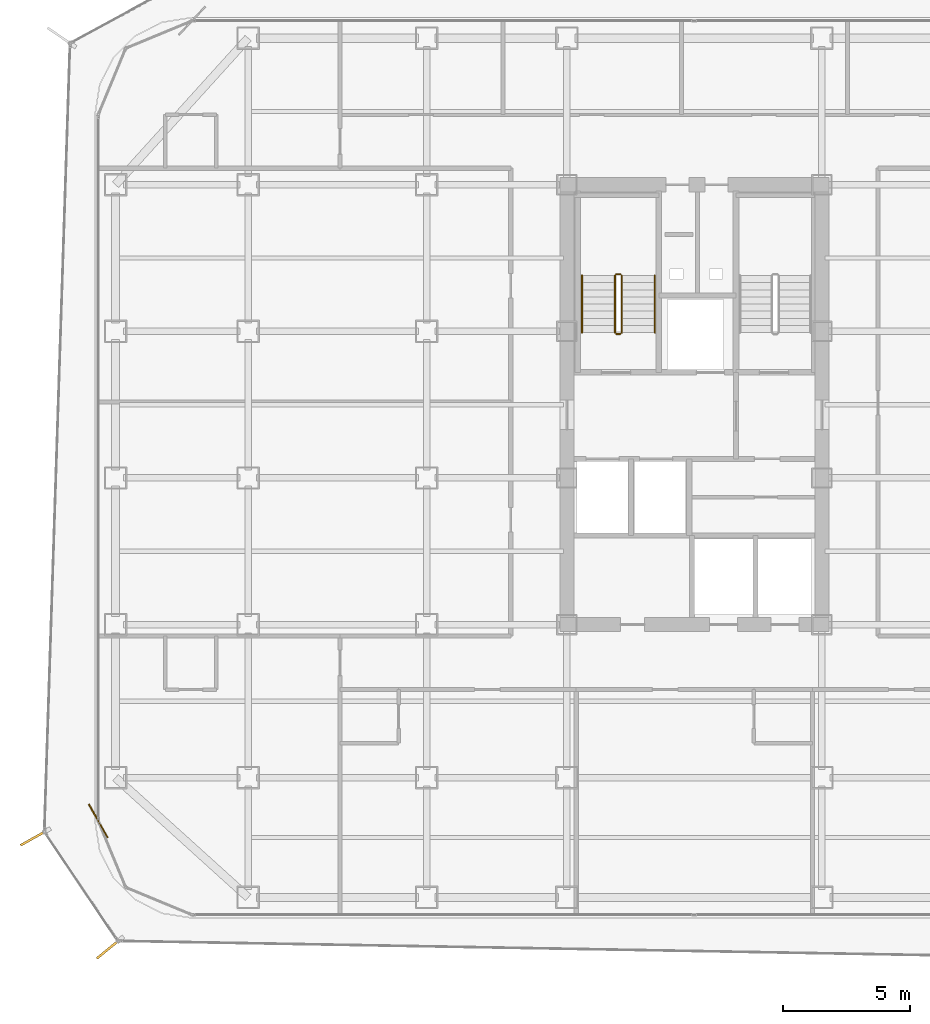
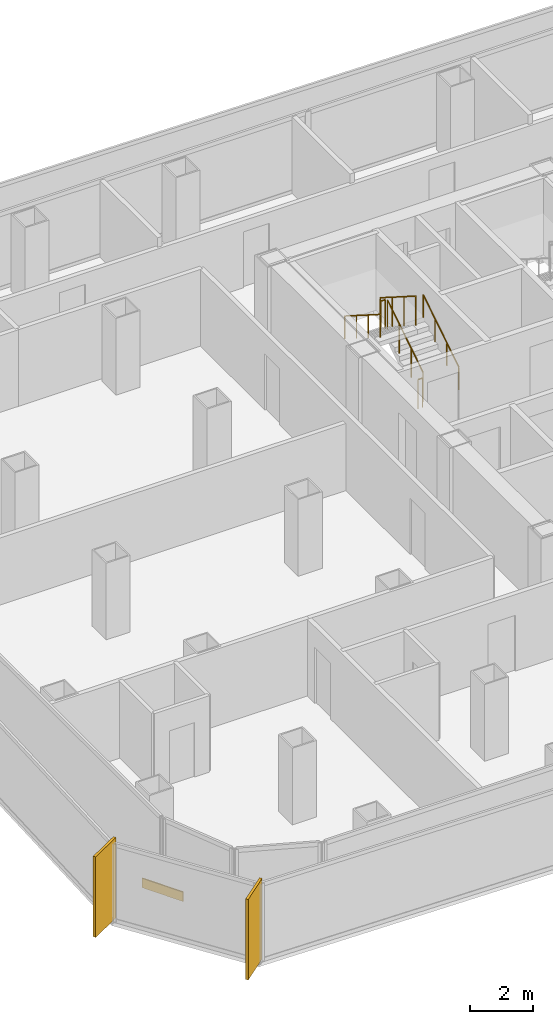
# One storey, part 19 of 21: 6 railings, 2 shading devices, 1 covering.
"""IFC4 building model written with IfcOpenShell, lengths in metres."""

import ifcopenshell
import ifcopenshell.guid

model = None  # the IFC model being written
_history = None  # IfcOwnerHistory: only IFC2X3 demands one
_inside = {}  # id of a spatial element -> (the spatial element, [elements in it])
_under = {}  # id of a project, library or spatial element -> (it, [spatial elements below it])
_declared = {}  # id of a project -> (the project, [libraries it declares])
_typed = {}  # id of a type object -> (the type object, [elements of that type])
_made_of = {}  # id of a material, layer set ... -> (it, [elements and type objects made of it])


def new_model(schema):
    """Start an empty IFC model of exactly this schema.

    Asked for "IFC4X3", IfcOpenShell would pick the latest addendum, in which some entities
    have other attributes; the version numbers below select the first issue.
    IFC2X3 requires an IfcOwnerHistory on every rooted entity: one is made here for all.
    """
    global model, _history
    if schema == "IFC4X3":
        model = ifcopenshell.file(schema_version=(4, 3, 0, 0))
    else:
        model = ifcopenshell.file(schema=schema)
    _inside.clear()
    _under.clear()
    _declared.clear()
    _typed.clear()
    _made_of.clear()
    _history = None
    if model.schema == "IFC2X3":
        org = make("IfcOrganization", Name="unknown")
        user = make(
            "IfcPersonAndOrganization",
            ThePerson=make("IfcPerson", FamilyName="unknown"),
            TheOrganization=org,
        )
        app = make(
            "IfcApplication",
            ApplicationDeveloper=org,
            Version="unknown",
            ApplicationFullName="unknown",
            ApplicationIdentifier="unknown",
        )
        _history = make(
            "IfcOwnerHistory",
            OwningUser=user,
            OwningApplication=app,
            ChangeAction="ADDED",
            CreationDate=0,
        )
    return model


def make(cls, **values):
    """One entity of the class cls with the attributes given. An attribute that is None is left unset."""
    return model.create_entity(
        cls, **{name: value for name, value in values.items() if value is not None}
    )


def rooted(cls, **values):
    """An entity with a GlobalId (a new one), such as an element, a storey or a relation."""
    return make(cls, GlobalId=ifcopenshell.guid.new(), OwnerHistory=_history, **values)


def si_unit(unit_type, name, prefix=None):
    """IfcSIUnit, for example si_unit("LENGTHUNIT", "METRE", prefix="MILLI")."""
    return make("IfcSIUnit", UnitType=unit_type, Prefix=prefix, Name=name)


def assignment(units):
    """IfcUnitAssignment: the units of a project."""
    return None if units is None else make("IfcUnitAssignment", Units=units)


def point(xyz):
    """IfcCartesianPoint."""
    return None if xyz is None else make("IfcCartesianPoint", Coordinates=xyz)


def direction(xyz):
    """IfcDirection."""
    return None if xyz is None else make("IfcDirection", DirectionRatios=xyz)


def frame(location, z_axis=None, x_axis=None):
    """IfcAxis2Placement3D, a coordinate frame: its origin and axes. An axis left out is left unset."""
    return make(
        "IfcAxis2Placement3D",
        Location=point(location),
        Axis=direction(z_axis),
        RefDirection=direction(x_axis),
    )


def frame_2d(location, x_axis=None):
    """IfcAxis2Placement2D, a coordinate frame in the plane: its origin and x axis."""
    return make(
        "IfcAxis2Placement2D", Location=point(location), RefDirection=direction(x_axis)
    )


def origin():
    """The frame at (0, 0, 0) with its axes left unset."""
    return frame((0.0, 0.0, 0.0))


def origin_2d():
    """The frame at (0, 0) in the plane with its x axis left unset."""
    return frame_2d((0.0, 0.0))


def place(relative_to, where):
    """IfcLocalPlacement: puts the frame where relative to a parent placement (None: the world)."""
    return make(
        "IfcLocalPlacement", PlacementRelTo=relative_to, RelativePlacement=where
    )


def context(
    kind, dimensions, precision=None, world=None, true_north=None, identifier=None
):
    """IfcGeometricRepresentationContext, for example the 3D "Model" context."""
    return make(
        "IfcGeometricRepresentationContext",
        ContextIdentifier=identifier,
        ContextType=kind,
        CoordinateSpaceDimension=dimensions,
        Precision=precision,
        WorldCoordinateSystem=world,
        TrueNorth=true_north,
    )


def subcontext(parent, identifier, kind, view, scale=None):
    """IfcGeometricRepresentationSubContext, for example "Body" below "Model"."""
    return make(
        "IfcGeometricRepresentationSubContext",
        ContextIdentifier=identifier,
        ContextType=kind,
        ParentContext=parent,
        TargetScale=scale,
        TargetView=view,
    )


def project(units=None, contexts=None):
    """IfcProject with its units and contexts."""
    return rooted(
        "IfcProject",
        Name="project",
        RepresentationContexts=contexts,
        UnitsInContext=assignment(units),
    )


def spatial(cls, under=None, at=None, **own):
    """A site, building, storey or space (cls), placed at a placement, below another one or the project."""
    s = rooted(cls, ObjectPlacement=at, **own)
    if under is not None:
        _under.setdefault(under.id(), (under, []))[1].append(s)
    return s


def profile(cls, at=None, kind="AREA", **sizes):
    """A parametric profile (cls). Its sizes go by their IFC names, for example OverallWidth=200.0."""
    return make(cls, ProfileType=kind, Position=at, **sizes)


def rectangle(**sizes):
    """IfcRectangleProfileDef."""
    return profile("IfcRectangleProfileDef", **sizes)


def circle(**sizes):
    """IfcCircleProfileDef."""
    return profile("IfcCircleProfileDef", **sizes)


def extrude(swept, where, along, depth):
    """IfcExtrudedAreaSolid: the profile swept, set in the frame where, extruded along a direction by depth."""
    return make(
        "IfcExtrudedAreaSolid",
        SweptArea=swept,
        Position=where,
        ExtrudedDirection=direction(along),
        Depth=depth,
    )


def shape(context_of_items, identifier, shape_type, items):
    """IfcShapeRepresentation: the items that make up one representation, for example the "Body"."""
    return make(
        "IfcShapeRepresentation",
        ContextOfItems=context_of_items,
        RepresentationIdentifier=identifier,
        RepresentationType=shape_type,
        Items=items,
    )


def source(mapping_origin, context_of_items, identifier, shape_type, items):
    """IfcRepresentationMap: a shape defined once, which mapped items show again and again."""
    return make(
        "IfcRepresentationMap",
        MappingOrigin=mapping_origin,
        MappedRepresentation=shape(context_of_items, identifier, shape_type, items),
    )


def transform(
    local_origin,
    x_axis=None,
    y_axis=None,
    z_axis=None,
    scale=None,
    scale2=None,
    scale3=None,
    uniform=True,
):
    """IfcCartesianTransformationOperator3D, or its non-uniform kind. x_axis, y_axis, z_axis: its Axis1, 2, 3."""
    if uniform:
        return make(
            "IfcCartesianTransformationOperator3D",
            Axis1=direction(x_axis),
            Axis2=direction(y_axis),
            LocalOrigin=point(local_origin),
            Scale=scale,
            Axis3=direction(z_axis),
        )
    return make(
        "IfcCartesianTransformationOperator3DnonUniform",
        Axis1=direction(x_axis),
        Axis2=direction(y_axis),
        LocalOrigin=point(local_origin),
        Scale=scale,
        Axis3=direction(z_axis),
        Scale2=scale2,
        Scale3=scale3,
    )


def mapped(mapping_source, mapping_target):
    """IfcMappedItem: shows the shape of a source again, moved by a transform."""
    return make(
        "IfcMappedItem", MappingSource=mapping_source, MappingTarget=mapping_target
    )


def material(Name=None, Category=None):
    """IfcMaterial."""
    return make("IfcMaterial", Name=Name, Category=Category)


def layer(
    of_material, thickness, ventilated=None, Name=None, Category=None, Priority=None
):
    """IfcMaterialLayer: one layer of a wall or slab, of a material (None: an air gap)."""
    return make(
        "IfcMaterialLayer",
        Material=of_material,
        LayerThickness=thickness,
        IsVentilated=ventilated,
        Name=Name,
        Category=Category,
        Priority=Priority,
    )


def layer_set(layers, Name=None):
    """IfcMaterialLayerSet."""
    return make("IfcMaterialLayerSet", MaterialLayers=layers, LayerSetName=Name)


def made_of(thing, what):
    """Note that an element or type object is made of a material, layer set ...; save() writes the relation."""
    if what is not None:
        _made_of.setdefault(what.id(), (what, []))[1].append(thing)
    return thing


def type_object(cls, material=None, **own):
    """A type object (cls), such as IfcWallType, which elements share."""
    return made_of(rooted(cls, **own), material)


def element(
    cls,
    number,
    at=None,
    inside=None,
    cuts=None,
    type_object=None,
    material=None,
    context=None,
    identifier="Body",
    shape_type=None,
    held_by="IfcProductDefinitionShape",
    body=None,
    shapes=None,
    **own,
):
    """One element of the class cls, such as IfcWall. Its Tag is "e" and its number.

    at: its placement. inside: the storey or other place that contains it. cuts: it is an
    opening in that element (IfcRelVoidsElement). A single representation is given by context,
    identifier, shape_type and body (its items); several are given by shapes. held_by: the class
    of the entity that holds the representations. save() writes the other relations.
    """
    e = rooted(cls, Tag="e%d" % number, ObjectPlacement=at, **own)
    if body is not None:
        shapes = [shape(context, identifier, shape_type, body)]
    if shapes is not None:
        e.Representation = make(held_by, Representations=shapes)
    if inside is not None:
        _inside.setdefault(inside.id(), (inside, []))[1].append(e)
    if cuts is not None:
        rooted(
            "IfcRelVoidsElement", RelatingBuildingElement=cuts, RelatedOpeningElement=e
        )
    if type_object is not None:
        _typed.setdefault(type_object.id(), (type_object, []))[1].append(e)
    return made_of(e, material)


def aggregate(whole, parts):
    """IfcRelAggregates: a whole, such as a stair, and the parts it consists of."""
    return rooted("IfcRelAggregates", RelatingObject=whole, RelatedObjects=parts)


def save(model, path):
    """Write the relations noted so far, then the file.

    IfcRelAggregates (storeys below a building ...), IfcRelContainedInSpatialStructure (elements
    in a storey), IfcRelDefinesByType, IfcRelAssociatesMaterial and IfcRelDeclares: one each for
    every whole, place, type object, material and project.
    """
    for whole, parts in _under.values():
        aggregate(whole, parts)
    for where, things in _inside.values():
        rooted(
            "IfcRelContainedInSpatialStructure",
            RelatedElements=things,
            RelatingStructure=where,
        )
    for kind, things in _typed.values():
        rooted("IfcRelDefinesByType", RelatedObjects=things, RelatingType=kind)
    for what, things in _made_of.values():
        rooted("IfcRelAssociatesMaterial", RelatedObjects=things, RelatingMaterial=what)
    for by, libraries in _declared.values():
        rooted("IfcRelDeclares", RelatingContext=by, RelatedDefinitions=libraries)
    model.write(path)


model = new_model("IFC4")

# Units and contexts
model_context = context("Model", 3, precision=1e-05, world=origin(), true_north=direction((0.0, 1.0)))
body_context = subcontext(model_context, "Body", "Model", "MODEL_VIEW")
ifc_project = project(units=[si_unit("LENGTHUNIT", "METRE"), si_unit("AREAUNIT", "SQUARE_METRE"), si_unit("VOLUMEUNIT", "CUBIC_METRE"), si_unit("PLANEANGLEUNIT", "RADIAN"), si_unit("MASSUNIT", "GRAM", prefix="KILO")], contexts=[model_context])

# Site, building, storey
site_placement = place(None, origin())
site = spatial("IfcSite", under=ifc_project, at=site_placement, CompositionType="ELEMENT")
building_placement = place(site_placement, origin())
building = spatial("IfcBuilding", under=site, at=building_placement, Name="Kolveth Station Tower", CompositionType="ELEMENT")
storey_placement = place(building_placement, frame((0.0, 0.0, 127.89990234375)))
storey = spatial("IfcBuildingStorey", under=building, at=storey_placement, Name="L35", CompositionType="ELEMENT", Elevation=127.89990234375)

# Railings
ifc_material_1 = material(Name="Painted Steel S355 balustrade", Category="steel")
railing_type_1 = type_object("IfcRailingType", Name="Guard_GR2", PredefinedType="BALUSTRADE", material=ifc_material_1)
railing_1_placement = place(storey_placement, frame((20.64990234375, 22.949951171875, 0.177978515625)))
element("IfcRailing", 1, at=railing_1_placement, inside=storey, type_object=railing_type_1, Name="L35 ST1 stair guard 1", PredefinedType="BALUSTRADE", context=body_context, shape_type="SweptSolid", body=[
    extrude(circle(Radius=0.02392578125, at=origin_2d()), frame((0.0, 0.0, 1.1259765625), z_axis=(0.0, 0.8442293374, 0.53598211339), x_axis=(-1.0, 0.0, 0.0)), (0.0, 0.0, 1.0), 2.6533203125),
    extrude(circle(Radius=0.02099609375, at=origin_2d()), origin(), (0.0, 0.0, 1.0), 1.101806640625),
    extrude(circle(Radius=0.02099609375, at=origin_2d()), frame((0.0, 0.74658203125, 0.47412109375)), (0.0, 0.0, 1.0), 1.101806640625),
    extrude(circle(Radius=0.02099609375, at=origin_2d()), frame((0.0, 1.493408203125, 0.947998046875)), (0.0, 0.0, 1.0), 1.101806640625),
    extrude(circle(Radius=0.02099609375, at=origin_2d()), frame((0.0, 2.239990234375, 1.422119140625)), (0.0, 0.0, 1.0), 1.101806640625),
])
railing_2_placement = place(storey_placement, frame((20.60009765625, 25.239990234375, 1.60009765625)))
element("IfcRailing", 2, at=railing_2_placement, inside=storey, type_object=railing_type_1, Name="L35 ST1 stair guard 2", PredefinedType="BALUSTRADE", context=body_context, shape_type="SweptSolid", body=[
    extrude(circle(Radius=0.02392578125, at=origin_2d()), frame((0.0, 0.0, 1.1259765625), z_axis=(-1.0, 0.0, 0.0), x_axis=(0.0, -1.0, 0.0)), (0.0, 0.0, 1.0), 0.16015625),
    extrude(circle(Radius=0.02099609375, at=origin_2d()), origin(), (0.0, 0.0, 1.0), 1.101806640625),
    extrude(circle(Radius=0.02099609375, at=origin_2d()), frame((-0.16015625, 0.0, 0.0)), (0.0, 0.0, 1.0), 1.101806640625),
])
railing_3_placement = place(storey_placement, frame((20.389892578125, 25.18994140625, 1.77783203125)))
element("IfcRailing", 3, at=railing_3_placement, inside=storey, type_object=railing_type_1, Name="L35 ST1 stair guard 3", PredefinedType="BALUSTRADE", context=body_context, shape_type="SweptSolid", body=[
    extrude(circle(Radius=0.02392578125, at=origin_2d()), frame((0.0, 0.0, 1.1259765625), z_axis=(0.0, -0.84418770128, 0.536047689118), x_axis=(1.0, 0.0, 0.0)), (0.0, 0.0, 1.0), 2.6533203125),
    extrude(circle(Radius=0.02099609375, at=origin_2d()), origin(), (0.0, 0.0, 1.0), 1.101806640625),
    extrude(circle(Radius=0.02099609375, at=origin_2d()), frame((0.0, -0.74658203125, 0.47412109375)), (0.0, 0.0, 1.0), 1.101806640625),
    extrude(circle(Radius=0.02099609375, at=origin_2d()), frame((0.0, -1.493408203125, 0.9482421875)), (0.0, 0.0, 1.0), 1.101806640625),
    extrude(circle(Radius=0.02099609375, at=origin_2d()), frame((0.0, -2.239990234375, 1.42236328125)), (0.0, 0.0, 1.0), 1.101806640625),
])
railing_4_placement = place(storey_placement, frame((20.60009765625, 22.89990234375, 0.0)))
element("IfcRailing", 4, at=railing_4_placement, inside=storey, type_object=railing_type_1, Name="L35 ST1 stair guard 4", PredefinedType="BALUSTRADE", context=body_context, shape_type="SweptSolid", body=[
    extrude(circle(Radius=0.02392578125, at=origin_2d()), frame((0.0, 0.0, 1.1259765625), z_axis=(-1.0, 0.0, 0.0), x_axis=(0.0, -1.0, 0.0)), (0.0, 0.0, 1.0), 0.16015625),
    extrude(circle(Radius=0.02099609375, at=origin_2d()), origin(), (0.0, 0.0, 1.0), 1.101806640625),
    extrude(circle(Radius=0.02099609375, at=origin_2d()), frame((-0.16015625, 0.0, 0.0)), (0.0, 0.0, 1.0), 1.101806640625),
])
ifc_material_2 = material(Name="Brushed stainless steel", Category="steel")
railing_type_2 = type_object("IfcRailingType", Name="Handrail_HR1", PredefinedType="HANDRAIL", material=ifc_material_2)
railing_5_placement = place(storey_placement, frame((21.949951171875, 22.949951171875, 0.177978515625)))
element("IfcRailing", 5, at=railing_5_placement, inside=storey, type_object=railing_type_2, Name="L35 ST1 stair handrail 1", PredefinedType="HANDRAIL", context=body_context, shape_type="SweptSolid", body=[
    extrude(circle(Radius=0.02392578125, at=origin_2d()), frame((0.0, 0.0, 0.8759765625), z_axis=(0.0, 0.8442293374, 0.53598211339), x_axis=(-1.0, 0.0, 0.0)), (0.0, 0.0, 1.0), 2.6533203125),
    extrude(circle(Radius=0.02099609375, at=origin_2d()), origin(), (0.0, 0.0, 1.0), 0.851806640625),
    extrude(circle(Radius=0.02099609375, at=origin_2d()), frame((0.0, 0.74658203125, 0.47412109375)), (0.0, 0.0, 1.0), 0.851806640625),
    extrude(circle(Radius=0.02099609375, at=origin_2d()), frame((0.0, 1.493408203125, 0.947998046875)), (0.0, 0.0, 1.0), 0.851806640625),
    extrude(circle(Radius=0.02099609375, at=origin_2d()), frame((0.0, 2.239990234375, 1.422119140625)), (0.0, 0.0, 1.0), 0.851806640625),
])
railing_6_placement = place(storey_placement, frame((19.090087890625, 25.18994140625, 1.77783203125)))
element("IfcRailing", 6, at=railing_6_placement, inside=storey, type_object=railing_type_2, Name="L35 ST1 stair handrail 2", PredefinedType="HANDRAIL", context=body_context, shape_type="SweptSolid", body=[
    extrude(circle(Radius=0.02392578125, at=origin_2d()), frame((0.0, 0.0, 0.8759765625), z_axis=(0.0, -0.84418770128, 0.536047689118), x_axis=(1.0, 0.0, 0.0)), (0.0, 0.0, 1.0), 2.6533203125),
    extrude(circle(Radius=0.02099609375, at=origin_2d()), origin(), (0.0, 0.0, 1.0), 0.851806640625),
    extrude(circle(Radius=0.02099609375, at=origin_2d()), frame((0.0, -0.74658203125, 0.47412109375)), (0.0, 0.0, 1.0), 0.851806640625),
    extrude(circle(Radius=0.02099609375, at=origin_2d()), frame((0.0, -1.493408203125, 0.9482421875)), (0.0, 0.0, 1.0), 0.851806640625),
    extrude(circle(Radius=0.02099609375, at=origin_2d()), frame((0.0, -2.239990234375, 1.42236328125)), (0.0, 0.0, 1.0), 0.851806640625),
])

# Shading devices
ifc_material_3 = material(Name="Black anodized aluminium 6063-T6", Category="aluminium")
shading_device_type = type_object("IfcShadingDeviceType", Name="FIN_VF1", PredefinedType="USERDEFINED", material=ifc_material_3)
shared_shape_1 = source(origin(), body_context, "Body", "SweptSolid", [
    extrude(rectangle(XDim=1.25, YDim=0.090087890625, at=origin_2d()), origin(), (0.0, 0.0, 1.0), 3.10009765625),
])
for number, where, z_axis, x_axis, name in (
    (7, (-2.3798828125, 3.14990234375, 0.0), (0.0, 0.0, 1.0), (-0.87241071329, -0.488773513334, 0.0), "L35 Dark-Aluminium Solar Fin 7"),
    (8, (0.550048828125, -1.196044921875, 0.0), (0.0, 0.0, 1.0), (-0.772844343101, -0.634595636084, 0.0), "L35 Dark-Aluminium Solar Fin 8"),
):
    element("IfcShadingDevice", number, at=place(storey_placement, frame(where, z_axis=z_axis, x_axis=x_axis)), inside=storey, type_object=shading_device_type, Name=name, ObjectType="FIN", PredefinedType="USERDEFINED", context=body_context, shape_type="MappedRepresentation", body=[
        mapped(shared_shape_1, transform((0.0, 0.0, 0.0), x_axis=(1.0, 0.0, 0.0), y_axis=(0.0, 1.0, 0.0), z_axis=(0.0, 0.0, 1.0), scale=1.0)),
    ])

# Covering
ifc_material_4 = material(Name="Charcoal anodized aluminium spandrel cladding", Category="aluminium")
ifc_layer = layer(ifc_material_4, 0.044921875)
ifc_layer_set = layer_set([ifc_layer], Name="Charcoal anodized aluminium spandrel cladding")
covering_type = type_object("IfcCoveringType", Name="Clad_CD1", PredefinedType="CLADDING", material=ifc_layer_set)
shared_shape_2 = source(origin(), body_context, "Body", "SweptSolid", [
    extrude(rectangle(XDim=1.5, YDim=0.044921875, at=origin_2d()), origin(), (0.0, 0.0, 1.0), 0.360107421875),
])
covering_placement = place(storey_placement, frame((0.1201171875, 3.800048828125, 0.0), z_axis=(0.0, 0.0, 1.0), x_axis=(0.488773513334, -0.87241071329, 0.0)))
element("IfcCovering", 9, at=covering_placement, inside=storey, type_object=covering_type, Name="L35 Spandrel Edge Cladding 7", PredefinedType="CLADDING", context=body_context, shape_type="MappedRepresentation", body=[
    mapped(shared_shape_2, transform((0.0, 0.0, 0.0), x_axis=(1.0, 0.0, 0.0), y_axis=(0.0, 1.0, 0.0), z_axis=(0.0, 0.0, 1.0), scale=1.0)),
])

save(model, "model.ifc")
